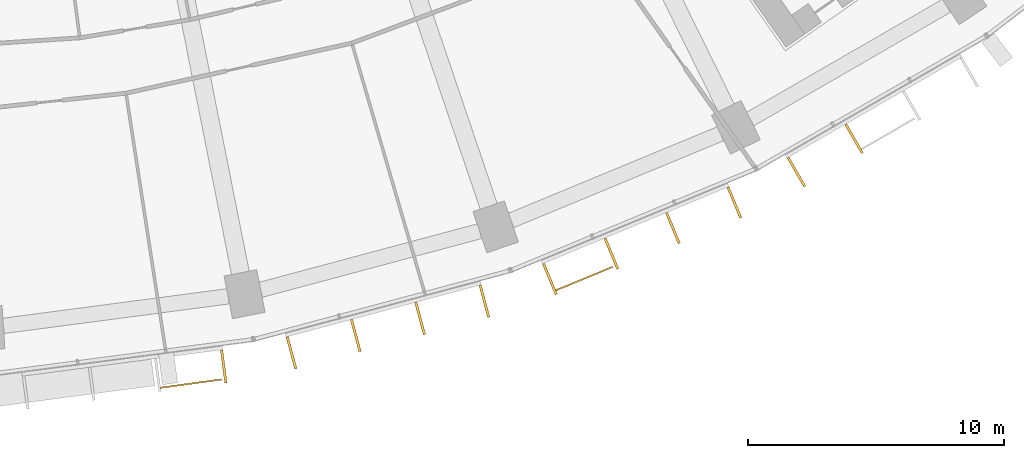
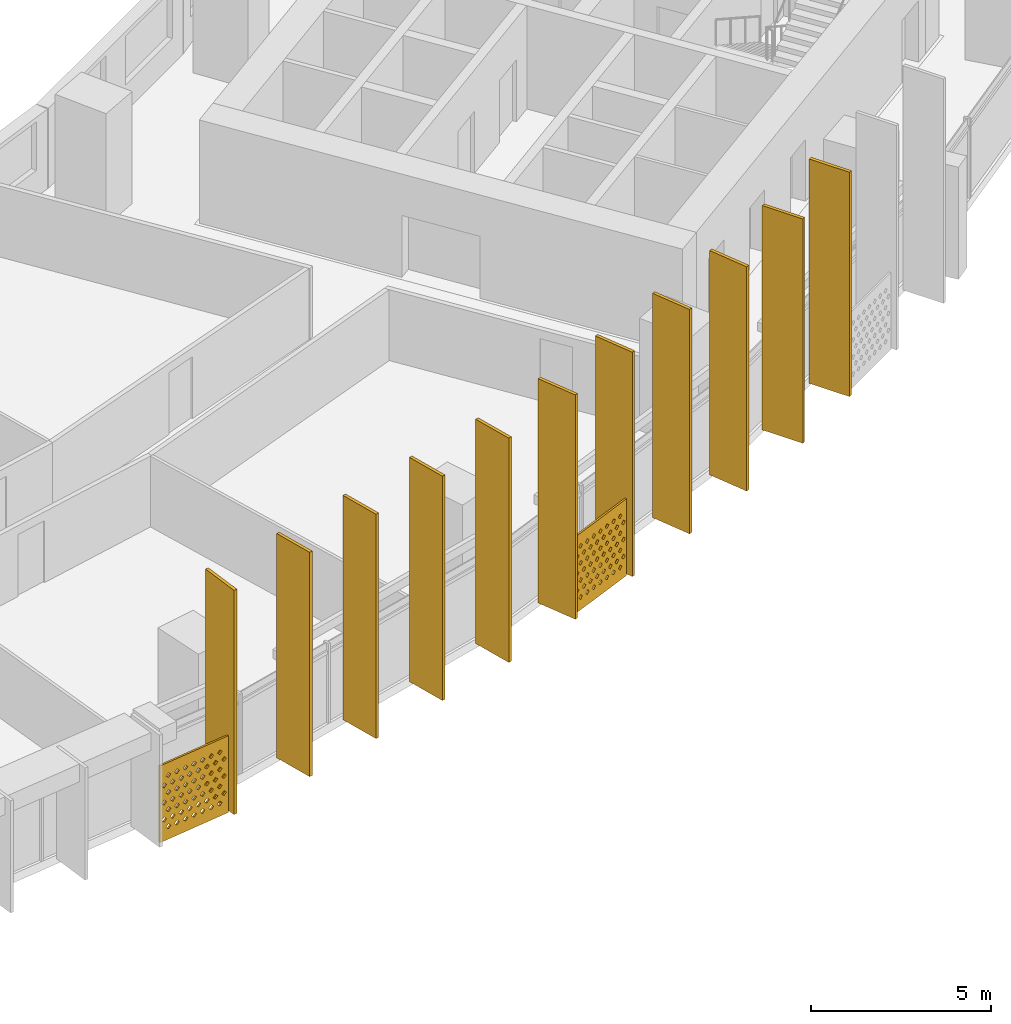
# One storey, part 30 of 32: 13 shading devices.
"""IFC4 building model written with IfcOpenShell, lengths in metres."""

from ifc_helpers import new_model, si_unit, direction, frame, origin, origin_2d, place, context, subcontext, project, spatial, polyline, rectangle, outline, extrude, material, material_profile, profile_set, type_object, element, save


model = new_model("IFC4")

# Units and contexts
model_context = context("Model", 3, precision=1e-05, world=origin(), true_north=direction((0.0, 1.0)))
body_context = subcontext(model_context, "Body", "Model", "MODEL_VIEW")
ifc_project = project(units=[si_unit("LENGTHUNIT", "METRE"), si_unit("AREAUNIT", "SQUARE_METRE"), si_unit("VOLUMEUNIT", "CUBIC_METRE"), si_unit("PLANEANGLEUNIT", "RADIAN"), si_unit("MASSUNIT", "GRAM", prefix="KILO")], contexts=[model_context])

# Site, building, storey
site_placement = place(None, origin())
site = spatial("IfcSite", under=ifc_project, at=site_placement, CompositionType="ELEMENT")
building_placement = place(site_placement, origin())
building = spatial("IfcBuilding", under=site, at=building_placement, Name="Qamariyya Broadcast Tower", CompositionType="ELEMENT")
storey_placement = place(building_placement, frame((0.0, 0.0, 63.300048828125)))
storey = spatial("IfcBuildingStorey", under=building, at=storey_placement, Name="L12", CompositionType="ELEMENT", Elevation=63.300048828125)

# Shading devices
ifc_material_1 = material(Name="Perforated glazed terracotta", Category="masonry")
ifc_material_profile_1 = material_profile(ifc_material_1, outline(polyline([(-1.199951171875, -1.300048828125), (1.199951171875, -1.300048828125), (1.199951171875, 1.300048828125), (-1.199951171875, 1.300048828125), (-1.199951171875, -1.300048828125)]), holes=[polyline([(-0.81494140625, -0.86669921875), (-0.89990234375, -0.78173828125), (-0.985107421875, -0.86669921875), (-0.89990234375, -0.95166015625), (-0.81494140625, -0.86669921875)]), polyline([(-0.514892578125, -0.86669921875), (-0.60009765625, -0.78173828125), (-0.68505859375, -0.86669921875), (-0.60009765625, -0.95166015625), (-0.514892578125, -0.86669921875)]), polyline([(-0.215087890625, -0.86669921875), (-0.300048828125, -0.78173828125), (-0.385009765625, -0.86669921875), (-0.300048828125, -0.95166015625), (-0.215087890625, -0.86669921875)]), polyline([(0.0849609375, -0.86669921875), (0.0, -0.78173828125), (-0.0849609375, -0.86669921875), (0.0, -0.95166015625), (0.0849609375, -0.86669921875)]), polyline([(0.385009765625, -0.86669921875), (0.300048828125, -0.78173828125), (0.215087890625, -0.86669921875), (0.300048828125, -0.95166015625), (0.385009765625, -0.86669921875)]), polyline([(0.68505859375, -0.86669921875), (0.60009765625, -0.78173828125), (0.514892578125, -0.86669921875), (0.60009765625, -0.95166015625), (0.68505859375, -0.86669921875)]), polyline([(0.985107421875, -0.86669921875), (0.89990234375, -0.78173828125), (0.81494140625, -0.86669921875), (0.89990234375, -0.95166015625), (0.985107421875, -0.86669921875)]), polyline([(-0.965087890625, -0.577880859375), (-1.050048828125, -0.49267578125), (-1.135009765625, -0.577880859375), (-1.050048828125, -0.662841796875), (-0.965087890625, -0.577880859375)]), polyline([(-0.6650390625, -0.577880859375), (-0.75, -0.49267578125), (-0.8349609375, -0.577880859375), (-0.75, -0.662841796875), (-0.6650390625, -0.577880859375)]), polyline([(-0.364990234375, -0.577880859375), (-0.449951171875, -0.49267578125), (-0.534912109375, -0.577880859375), (-0.449951171875, -0.662841796875), (-0.364990234375, -0.577880859375)]), polyline([(-0.06494140625, -0.577880859375), (-0.14990234375, -0.49267578125), (-0.235107421875, -0.577880859375), (-0.14990234375, -0.662841796875), (-0.06494140625, -0.577880859375)]), polyline([(0.235107421875, -0.577880859375), (0.14990234375, -0.49267578125), (0.06494140625, -0.577880859375), (0.14990234375, -0.662841796875), (0.235107421875, -0.577880859375)]), polyline([(0.534912109375, -0.577880859375), (0.449951171875, -0.49267578125), (0.364990234375, -0.577880859375), (0.449951171875, -0.662841796875), (0.534912109375, -0.577880859375)]), polyline([(0.8349609375, -0.577880859375), (0.75, -0.49267578125), (0.6650390625, -0.577880859375), (0.75, -0.662841796875), (0.8349609375, -0.577880859375)]), polyline([(1.135009765625, -0.577880859375), (1.050048828125, -0.49267578125), (0.965087890625, -0.577880859375), (1.050048828125, -0.662841796875), (1.135009765625, -0.577880859375)]), polyline([(-0.81494140625, -0.288818359375), (-0.89990234375, -0.203857421875), (-0.985107421875, -0.288818359375), (-0.89990234375, -0.373779296875), (-0.81494140625, -0.288818359375)]), polyline([(-0.514892578125, -0.288818359375), (-0.60009765625, -0.203857421875), (-0.68505859375, -0.288818359375), (-0.60009765625, -0.373779296875), (-0.514892578125, -0.288818359375)]), polyline([(-0.215087890625, -0.288818359375), (-0.300048828125, -0.203857421875), (-0.385009765625, -0.288818359375), (-0.300048828125, -0.373779296875), (-0.215087890625, -0.288818359375)]), polyline([(0.0849609375, -0.288818359375), (0.0, -0.203857421875), (-0.0849609375, -0.288818359375), (0.0, -0.373779296875), (0.0849609375, -0.288818359375)]), polyline([(0.385009765625, -0.288818359375), (0.300048828125, -0.203857421875), (0.215087890625, -0.288818359375), (0.300048828125, -0.373779296875), (0.385009765625, -0.288818359375)]), polyline([(0.68505859375, -0.288818359375), (0.60009765625, -0.203857421875), (0.514892578125, -0.288818359375), (0.60009765625, -0.373779296875), (0.68505859375, -0.288818359375)]), polyline([(0.985107421875, -0.288818359375), (0.89990234375, -0.203857421875), (0.81494140625, -0.288818359375), (0.89990234375, -0.373779296875), (0.985107421875, -0.288818359375)]), polyline([(-0.965087890625, 0.0), (-1.050048828125, 0.0849609375), (-1.135009765625, 0.0), (-1.050048828125, -0.0849609375), (-0.965087890625, 0.0)]), polyline([(-0.6650390625, 0.0), (-0.75, 0.0849609375), (-0.8349609375, 0.0), (-0.75, -0.0849609375), (-0.6650390625, 0.0)]), polyline([(-0.364990234375, 0.0), (-0.449951171875, 0.0849609375), (-0.534912109375, 0.0), (-0.449951171875, -0.0849609375), (-0.364990234375, 0.0)]), polyline([(-0.06494140625, 0.0), (-0.14990234375, 0.0849609375), (-0.235107421875, 0.0), (-0.14990234375, -0.0849609375), (-0.06494140625, 0.0)]), polyline([(0.235107421875, 0.0), (0.14990234375, 0.0849609375), (0.06494140625, 0.0), (0.14990234375, -0.0849609375), (0.235107421875, 0.0)]), polyline([(0.534912109375, 0.0), (0.449951171875, 0.0849609375), (0.364990234375, 0.0), (0.449951171875, -0.0849609375), (0.534912109375, 0.0)]), polyline([(0.8349609375, 0.0), (0.75, 0.0849609375), (0.6650390625, 0.0), (0.75, -0.0849609375), (0.8349609375, 0.0)]), polyline([(1.135009765625, 0.0), (1.050048828125, 0.0849609375), (0.965087890625, 0.0), (1.050048828125, -0.0849609375), (1.135009765625, 0.0)]), polyline([(-0.81494140625, 0.288818359375), (-0.89990234375, 0.373779296875), (-0.985107421875, 0.288818359375), (-0.89990234375, 0.203857421875), (-0.81494140625, 0.288818359375)]), polyline([(-0.514892578125, 0.288818359375), (-0.60009765625, 0.373779296875), (-0.68505859375, 0.288818359375), (-0.60009765625, 0.203857421875), (-0.514892578125, 0.288818359375)]), polyline([(-0.215087890625, 0.288818359375), (-0.300048828125, 0.373779296875), (-0.385009765625, 0.288818359375), (-0.300048828125, 0.203857421875), (-0.215087890625, 0.288818359375)]), polyline([(0.0849609375, 0.288818359375), (0.0, 0.373779296875), (-0.0849609375, 0.288818359375), (0.0, 0.203857421875), (0.0849609375, 0.288818359375)]), polyline([(0.385009765625, 0.288818359375), (0.300048828125, 0.373779296875), (0.215087890625, 0.288818359375), (0.300048828125, 0.203857421875), (0.385009765625, 0.288818359375)]), polyline([(0.68505859375, 0.288818359375), (0.60009765625, 0.373779296875), (0.514892578125, 0.288818359375), (0.60009765625, 0.203857421875), (0.68505859375, 0.288818359375)]), polyline([(0.985107421875, 0.288818359375), (0.89990234375, 0.373779296875), (0.81494140625, 0.288818359375), (0.89990234375, 0.203857421875), (0.985107421875, 0.288818359375)]), polyline([(-0.965087890625, 0.577880859375), (-1.050048828125, 0.662841796875), (-1.135009765625, 0.577880859375), (-1.050048828125, 0.49267578125), (-0.965087890625, 0.577880859375)]), polyline([(-0.6650390625, 0.577880859375), (-0.75, 0.662841796875), (-0.8349609375, 0.577880859375), (-0.75, 0.49267578125), (-0.6650390625, 0.577880859375)]), polyline([(-0.364990234375, 0.577880859375), (-0.449951171875, 0.662841796875), (-0.534912109375, 0.577880859375), (-0.449951171875, 0.49267578125), (-0.364990234375, 0.577880859375)]), polyline([(-0.06494140625, 0.577880859375), (-0.14990234375, 0.662841796875), (-0.235107421875, 0.577880859375), (-0.14990234375, 0.49267578125), (-0.06494140625, 0.577880859375)]), polyline([(0.235107421875, 0.577880859375), (0.14990234375, 0.662841796875), (0.06494140625, 0.577880859375), (0.14990234375, 0.49267578125), (0.235107421875, 0.577880859375)]), polyline([(0.534912109375, 0.577880859375), (0.449951171875, 0.662841796875), (0.364990234375, 0.577880859375), (0.449951171875, 0.49267578125), (0.534912109375, 0.577880859375)]), polyline([(0.8349609375, 0.577880859375), (0.75, 0.662841796875), (0.6650390625, 0.577880859375), (0.75, 0.49267578125), (0.8349609375, 0.577880859375)]), polyline([(1.135009765625, 0.577880859375), (1.050048828125, 0.662841796875), (0.965087890625, 0.577880859375), (1.050048828125, 0.49267578125), (1.135009765625, 0.577880859375)]), polyline([(-0.81494140625, 0.86669921875), (-0.89990234375, 0.95166015625), (-0.985107421875, 0.86669921875), (-0.89990234375, 0.78173828125), (-0.81494140625, 0.86669921875)]), polyline([(-0.514892578125, 0.86669921875), (-0.60009765625, 0.95166015625), (-0.68505859375, 0.86669921875), (-0.60009765625, 0.78173828125), (-0.514892578125, 0.86669921875)]), polyline([(-0.215087890625, 0.86669921875), (-0.300048828125, 0.95166015625), (-0.385009765625, 0.86669921875), (-0.300048828125, 0.78173828125), (-0.215087890625, 0.86669921875)]), polyline([(0.0849609375, 0.86669921875), (0.0, 0.95166015625), (-0.0849609375, 0.86669921875), (0.0, 0.78173828125), (0.0849609375, 0.86669921875)]), polyline([(0.385009765625, 0.86669921875), (0.300048828125, 0.95166015625), (0.215087890625, 0.86669921875), (0.300048828125, 0.78173828125), (0.385009765625, 0.86669921875)]), polyline([(0.68505859375, 0.86669921875), (0.60009765625, 0.95166015625), (0.514892578125, 0.86669921875), (0.60009765625, 0.78173828125), (0.68505859375, 0.86669921875)]), polyline([(0.985107421875, 0.86669921875), (0.89990234375, 0.95166015625), (0.81494140625, 0.86669921875), (0.89990234375, 0.78173828125), (0.985107421875, 0.86669921875)])]))
ifc_profile_set_1 = profile_set([ifc_material_profile_1], Name="Perforated glazed terracotta")
shading_device_type_1 = type_object("IfcShadingDeviceType", Name="Perforated terracotta screen 2400 x 2600", PredefinedType="USERDEFINED", material=ifc_profile_set_1)
shading_device_1_placement = place(storey_placement, frame((13.0703125, -79.7255859375, 1.349853515625), z_axis=(0.13456727237, -0.990904460181, 0.0), x_axis=(0.990904460181, 0.13456727237, 0.0)))
element("IfcShadingDevice", 1, at=shading_device_1_placement, inside=storey, type_object=shading_device_type_1, Name="e-scr-L12-09-2", ObjectType="SCREEN", PredefinedType="USERDEFINED", context=body_context, shape_type="SweptSolid", body=[
    extrude(outline(polyline([(-1.199951171875, -1.300048828125), (1.199951171875, -1.300048828125), (1.199951171875, 1.300048828125), (-1.199951171875, 1.300048828125), (-1.199951171875, -1.300048828125)]), holes=[polyline([(-0.81494140625, -0.86669921875), (-0.89990234375, -0.78173828125), (-0.985107421875, -0.86669921875), (-0.89990234375, -0.95166015625), (-0.81494140625, -0.86669921875)]), polyline([(-0.514892578125, -0.86669921875), (-0.60009765625, -0.78173828125), (-0.68505859375, -0.86669921875), (-0.60009765625, -0.95166015625), (-0.514892578125, -0.86669921875)]), polyline([(-0.215087890625, -0.86669921875), (-0.300048828125, -0.78173828125), (-0.385009765625, -0.86669921875), (-0.300048828125, -0.95166015625), (-0.215087890625, -0.86669921875)]), polyline([(0.0849609375, -0.86669921875), (0.0, -0.78173828125), (-0.0849609375, -0.86669921875), (0.0, -0.95166015625), (0.0849609375, -0.86669921875)]), polyline([(0.385009765625, -0.86669921875), (0.300048828125, -0.78173828125), (0.215087890625, -0.86669921875), (0.300048828125, -0.95166015625), (0.385009765625, -0.86669921875)]), polyline([(0.68505859375, -0.86669921875), (0.60009765625, -0.78173828125), (0.514892578125, -0.86669921875), (0.60009765625, -0.95166015625), (0.68505859375, -0.86669921875)]), polyline([(0.985107421875, -0.86669921875), (0.89990234375, -0.78173828125), (0.81494140625, -0.86669921875), (0.89990234375, -0.95166015625), (0.985107421875, -0.86669921875)]), polyline([(-0.965087890625, -0.577880859375), (-1.050048828125, -0.49267578125), (-1.135009765625, -0.577880859375), (-1.050048828125, -0.662841796875), (-0.965087890625, -0.577880859375)]), polyline([(-0.6650390625, -0.577880859375), (-0.75, -0.49267578125), (-0.8349609375, -0.577880859375), (-0.75, -0.662841796875), (-0.6650390625, -0.577880859375)]), polyline([(-0.364990234375, -0.577880859375), (-0.449951171875, -0.49267578125), (-0.534912109375, -0.577880859375), (-0.449951171875, -0.662841796875), (-0.364990234375, -0.577880859375)]), polyline([(-0.06494140625, -0.577880859375), (-0.14990234375, -0.49267578125), (-0.235107421875, -0.577880859375), (-0.14990234375, -0.662841796875), (-0.06494140625, -0.577880859375)]), polyline([(0.235107421875, -0.577880859375), (0.14990234375, -0.49267578125), (0.06494140625, -0.577880859375), (0.14990234375, -0.662841796875), (0.235107421875, -0.577880859375)]), polyline([(0.534912109375, -0.577880859375), (0.449951171875, -0.49267578125), (0.364990234375, -0.577880859375), (0.449951171875, -0.662841796875), (0.534912109375, -0.577880859375)]), polyline([(0.8349609375, -0.577880859375), (0.75, -0.49267578125), (0.6650390625, -0.577880859375), (0.75, -0.662841796875), (0.8349609375, -0.577880859375)]), polyline([(1.135009765625, -0.577880859375), (1.050048828125, -0.49267578125), (0.965087890625, -0.577880859375), (1.050048828125, -0.662841796875), (1.135009765625, -0.577880859375)]), polyline([(-0.81494140625, -0.288818359375), (-0.89990234375, -0.203857421875), (-0.985107421875, -0.288818359375), (-0.89990234375, -0.373779296875), (-0.81494140625, -0.288818359375)]), polyline([(-0.514892578125, -0.288818359375), (-0.60009765625, -0.203857421875), (-0.68505859375, -0.288818359375), (-0.60009765625, -0.373779296875), (-0.514892578125, -0.288818359375)]), polyline([(-0.215087890625, -0.288818359375), (-0.300048828125, -0.203857421875), (-0.385009765625, -0.288818359375), (-0.300048828125, -0.373779296875), (-0.215087890625, -0.288818359375)]), polyline([(0.0849609375, -0.288818359375), (0.0, -0.203857421875), (-0.0849609375, -0.288818359375), (0.0, -0.373779296875), (0.0849609375, -0.288818359375)]), polyline([(0.385009765625, -0.288818359375), (0.300048828125, -0.203857421875), (0.215087890625, -0.288818359375), (0.300048828125, -0.373779296875), (0.385009765625, -0.288818359375)]), polyline([(0.68505859375, -0.288818359375), (0.60009765625, -0.203857421875), (0.514892578125, -0.288818359375), (0.60009765625, -0.373779296875), (0.68505859375, -0.288818359375)]), polyline([(0.985107421875, -0.288818359375), (0.89990234375, -0.203857421875), (0.81494140625, -0.288818359375), (0.89990234375, -0.373779296875), (0.985107421875, -0.288818359375)]), polyline([(-0.965087890625, 0.0), (-1.050048828125, 0.0849609375), (-1.135009765625, 0.0), (-1.050048828125, -0.0849609375), (-0.965087890625, 0.0)]), polyline([(-0.6650390625, 0.0), (-0.75, 0.0849609375), (-0.8349609375, 0.0), (-0.75, -0.0849609375), (-0.6650390625, 0.0)]), polyline([(-0.364990234375, 0.0), (-0.449951171875, 0.0849609375), (-0.534912109375, 0.0), (-0.449951171875, -0.0849609375), (-0.364990234375, 0.0)]), polyline([(-0.06494140625, 0.0), (-0.14990234375, 0.0849609375), (-0.235107421875, 0.0), (-0.14990234375, -0.0849609375), (-0.06494140625, 0.0)]), polyline([(0.235107421875, 0.0), (0.14990234375, 0.0849609375), (0.06494140625, 0.0), (0.14990234375, -0.0849609375), (0.235107421875, 0.0)]), polyline([(0.534912109375, 0.0), (0.449951171875, 0.0849609375), (0.364990234375, 0.0), (0.449951171875, -0.0849609375), (0.534912109375, 0.0)]), polyline([(0.8349609375, 0.0), (0.75, 0.0849609375), (0.6650390625, 0.0), (0.75, -0.0849609375), (0.8349609375, 0.0)]), polyline([(1.135009765625, 0.0), (1.050048828125, 0.0849609375), (0.965087890625, 0.0), (1.050048828125, -0.0849609375), (1.135009765625, 0.0)]), polyline([(-0.81494140625, 0.288818359375), (-0.89990234375, 0.373779296875), (-0.985107421875, 0.288818359375), (-0.89990234375, 0.203857421875), (-0.81494140625, 0.288818359375)]), polyline([(-0.514892578125, 0.288818359375), (-0.60009765625, 0.373779296875), (-0.68505859375, 0.288818359375), (-0.60009765625, 0.203857421875), (-0.514892578125, 0.288818359375)]), polyline([(-0.215087890625, 0.288818359375), (-0.300048828125, 0.373779296875), (-0.385009765625, 0.288818359375), (-0.300048828125, 0.203857421875), (-0.215087890625, 0.288818359375)]), polyline([(0.0849609375, 0.288818359375), (0.0, 0.373779296875), (-0.0849609375, 0.288818359375), (0.0, 0.203857421875), (0.0849609375, 0.288818359375)]), polyline([(0.385009765625, 0.288818359375), (0.300048828125, 0.373779296875), (0.215087890625, 0.288818359375), (0.300048828125, 0.203857421875), (0.385009765625, 0.288818359375)]), polyline([(0.68505859375, 0.288818359375), (0.60009765625, 0.373779296875), (0.514892578125, 0.288818359375), (0.60009765625, 0.203857421875), (0.68505859375, 0.288818359375)]), polyline([(0.985107421875, 0.288818359375), (0.89990234375, 0.373779296875), (0.81494140625, 0.288818359375), (0.89990234375, 0.203857421875), (0.985107421875, 0.288818359375)]), polyline([(-0.965087890625, 0.577880859375), (-1.050048828125, 0.662841796875), (-1.135009765625, 0.577880859375), (-1.050048828125, 0.49267578125), (-0.965087890625, 0.577880859375)]), polyline([(-0.6650390625, 0.577880859375), (-0.75, 0.662841796875), (-0.8349609375, 0.577880859375), (-0.75, 0.49267578125), (-0.6650390625, 0.577880859375)]), polyline([(-0.364990234375, 0.577880859375), (-0.449951171875, 0.662841796875), (-0.534912109375, 0.577880859375), (-0.449951171875, 0.49267578125), (-0.364990234375, 0.577880859375)]), polyline([(-0.06494140625, 0.577880859375), (-0.14990234375, 0.662841796875), (-0.235107421875, 0.577880859375), (-0.14990234375, 0.49267578125), (-0.06494140625, 0.577880859375)]), polyline([(0.235107421875, 0.577880859375), (0.14990234375, 0.662841796875), (0.06494140625, 0.577880859375), (0.14990234375, 0.49267578125), (0.235107421875, 0.577880859375)]), polyline([(0.534912109375, 0.577880859375), (0.449951171875, 0.662841796875), (0.364990234375, 0.577880859375), (0.449951171875, 0.49267578125), (0.534912109375, 0.577880859375)]), polyline([(0.8349609375, 0.577880859375), (0.75, 0.662841796875), (0.6650390625, 0.577880859375), (0.75, 0.49267578125), (0.8349609375, 0.577880859375)]), polyline([(1.135009765625, 0.577880859375), (1.050048828125, 0.662841796875), (0.965087890625, 0.577880859375), (1.050048828125, 0.49267578125), (1.135009765625, 0.577880859375)]), polyline([(-0.81494140625, 0.86669921875), (-0.89990234375, 0.95166015625), (-0.985107421875, 0.86669921875), (-0.89990234375, 0.78173828125), (-0.81494140625, 0.86669921875)]), polyline([(-0.514892578125, 0.86669921875), (-0.60009765625, 0.95166015625), (-0.68505859375, 0.86669921875), (-0.60009765625, 0.78173828125), (-0.514892578125, 0.86669921875)]), polyline([(-0.215087890625, 0.86669921875), (-0.300048828125, 0.95166015625), (-0.385009765625, 0.86669921875), (-0.300048828125, 0.78173828125), (-0.215087890625, 0.86669921875)]), polyline([(0.0849609375, 0.86669921875), (0.0, 0.95166015625), (-0.0849609375, 0.86669921875), (0.0, 0.78173828125), (0.0849609375, 0.86669921875)]), polyline([(0.385009765625, 0.86669921875), (0.300048828125, 0.95166015625), (0.215087890625, 0.86669921875), (0.300048828125, 0.78173828125), (0.385009765625, 0.86669921875)]), polyline([(0.68505859375, 0.86669921875), (0.60009765625, 0.95166015625), (0.514892578125, 0.86669921875), (0.60009765625, 0.78173828125), (0.68505859375, 0.86669921875)]), polyline([(0.985107421875, 0.86669921875), (0.89990234375, 0.95166015625), (0.81494140625, 0.86669921875), (0.89990234375, 0.78173828125), (0.985107421875, 0.86669921875)])]), origin(), (0.0, 0.0, 1.0), 0.059814453125),
])
shading_device_2_placement = place(storey_placement, frame((28.44677734375, -75.61962890625, 1.349853515625), z_axis=(0.382591441855, -0.923917630863, 0.0), x_axis=(0.923917630863, 0.382591441855, 0.0)))
element("IfcShadingDevice", 2, at=shading_device_2_placement, inside=storey, type_object=shading_device_type_1, Name="e-scr-L12-11-0", ObjectType="SCREEN", PredefinedType="USERDEFINED", context=body_context, shape_type="SweptSolid", body=[
    extrude(outline(polyline([(-1.199951171875, -1.300048828125), (1.199951171875, -1.300048828125), (1.199951171875, 1.300048828125), (-1.199951171875, 1.300048828125), (-1.199951171875, -1.300048828125)]), holes=[polyline([(-0.81494140625, -0.86669921875), (-0.89990234375, -0.78173828125), (-0.985107421875, -0.86669921875), (-0.89990234375, -0.95166015625), (-0.81494140625, -0.86669921875)]), polyline([(-0.514892578125, -0.86669921875), (-0.60009765625, -0.78173828125), (-0.68505859375, -0.86669921875), (-0.60009765625, -0.95166015625), (-0.514892578125, -0.86669921875)]), polyline([(-0.215087890625, -0.86669921875), (-0.300048828125, -0.78173828125), (-0.385009765625, -0.86669921875), (-0.300048828125, -0.95166015625), (-0.215087890625, -0.86669921875)]), polyline([(0.0849609375, -0.86669921875), (0.0, -0.78173828125), (-0.0849609375, -0.86669921875), (0.0, -0.95166015625), (0.0849609375, -0.86669921875)]), polyline([(0.385009765625, -0.86669921875), (0.300048828125, -0.78173828125), (0.215087890625, -0.86669921875), (0.300048828125, -0.95166015625), (0.385009765625, -0.86669921875)]), polyline([(0.68505859375, -0.86669921875), (0.60009765625, -0.78173828125), (0.514892578125, -0.86669921875), (0.60009765625, -0.95166015625), (0.68505859375, -0.86669921875)]), polyline([(0.985107421875, -0.86669921875), (0.89990234375, -0.78173828125), (0.81494140625, -0.86669921875), (0.89990234375, -0.95166015625), (0.985107421875, -0.86669921875)]), polyline([(-0.965087890625, -0.577880859375), (-1.050048828125, -0.49267578125), (-1.135009765625, -0.577880859375), (-1.050048828125, -0.662841796875), (-0.965087890625, -0.577880859375)]), polyline([(-0.6650390625, -0.577880859375), (-0.75, -0.49267578125), (-0.8349609375, -0.577880859375), (-0.75, -0.662841796875), (-0.6650390625, -0.577880859375)]), polyline([(-0.364990234375, -0.577880859375), (-0.449951171875, -0.49267578125), (-0.534912109375, -0.577880859375), (-0.449951171875, -0.662841796875), (-0.364990234375, -0.577880859375)]), polyline([(-0.06494140625, -0.577880859375), (-0.14990234375, -0.49267578125), (-0.235107421875, -0.577880859375), (-0.14990234375, -0.662841796875), (-0.06494140625, -0.577880859375)]), polyline([(0.235107421875, -0.577880859375), (0.14990234375, -0.49267578125), (0.06494140625, -0.577880859375), (0.14990234375, -0.662841796875), (0.235107421875, -0.577880859375)]), polyline([(0.534912109375, -0.577880859375), (0.449951171875, -0.49267578125), (0.364990234375, -0.577880859375), (0.449951171875, -0.662841796875), (0.534912109375, -0.577880859375)]), polyline([(0.8349609375, -0.577880859375), (0.75, -0.49267578125), (0.6650390625, -0.577880859375), (0.75, -0.662841796875), (0.8349609375, -0.577880859375)]), polyline([(1.135009765625, -0.577880859375), (1.050048828125, -0.49267578125), (0.965087890625, -0.577880859375), (1.050048828125, -0.662841796875), (1.135009765625, -0.577880859375)]), polyline([(-0.81494140625, -0.288818359375), (-0.89990234375, -0.203857421875), (-0.985107421875, -0.288818359375), (-0.89990234375, -0.373779296875), (-0.81494140625, -0.288818359375)]), polyline([(-0.514892578125, -0.288818359375), (-0.60009765625, -0.203857421875), (-0.68505859375, -0.288818359375), (-0.60009765625, -0.373779296875), (-0.514892578125, -0.288818359375)]), polyline([(-0.215087890625, -0.288818359375), (-0.300048828125, -0.203857421875), (-0.385009765625, -0.288818359375), (-0.300048828125, -0.373779296875), (-0.215087890625, -0.288818359375)]), polyline([(0.0849609375, -0.288818359375), (0.0, -0.203857421875), (-0.0849609375, -0.288818359375), (0.0, -0.373779296875), (0.0849609375, -0.288818359375)]), polyline([(0.385009765625, -0.288818359375), (0.300048828125, -0.203857421875), (0.215087890625, -0.288818359375), (0.300048828125, -0.373779296875), (0.385009765625, -0.288818359375)]), polyline([(0.68505859375, -0.288818359375), (0.60009765625, -0.203857421875), (0.514892578125, -0.288818359375), (0.60009765625, -0.373779296875), (0.68505859375, -0.288818359375)]), polyline([(0.985107421875, -0.288818359375), (0.89990234375, -0.203857421875), (0.81494140625, -0.288818359375), (0.89990234375, -0.373779296875), (0.985107421875, -0.288818359375)]), polyline([(-0.965087890625, 0.0), (-1.050048828125, 0.0849609375), (-1.135009765625, 0.0), (-1.050048828125, -0.0849609375), (-0.965087890625, 0.0)]), polyline([(-0.6650390625, 0.0), (-0.75, 0.0849609375), (-0.8349609375, 0.0), (-0.75, -0.0849609375), (-0.6650390625, 0.0)]), polyline([(-0.364990234375, 0.0), (-0.449951171875, 0.0849609375), (-0.534912109375, 0.0), (-0.449951171875, -0.0849609375), (-0.364990234375, 0.0)]), polyline([(-0.06494140625, 0.0), (-0.14990234375, 0.0849609375), (-0.235107421875, 0.0), (-0.14990234375, -0.0849609375), (-0.06494140625, 0.0)]), polyline([(0.235107421875, 0.0), (0.14990234375, 0.0849609375), (0.06494140625, 0.0), (0.14990234375, -0.0849609375), (0.235107421875, 0.0)]), polyline([(0.534912109375, 0.0), (0.449951171875, 0.0849609375), (0.364990234375, 0.0), (0.449951171875, -0.0849609375), (0.534912109375, 0.0)]), polyline([(0.8349609375, 0.0), (0.75, 0.0849609375), (0.6650390625, 0.0), (0.75, -0.0849609375), (0.8349609375, 0.0)]), polyline([(1.135009765625, 0.0), (1.050048828125, 0.0849609375), (0.965087890625, 0.0), (1.050048828125, -0.0849609375), (1.135009765625, 0.0)]), polyline([(-0.81494140625, 0.288818359375), (-0.89990234375, 0.373779296875), (-0.985107421875, 0.288818359375), (-0.89990234375, 0.203857421875), (-0.81494140625, 0.288818359375)]), polyline([(-0.514892578125, 0.288818359375), (-0.60009765625, 0.373779296875), (-0.68505859375, 0.288818359375), (-0.60009765625, 0.203857421875), (-0.514892578125, 0.288818359375)]), polyline([(-0.215087890625, 0.288818359375), (-0.300048828125, 0.373779296875), (-0.385009765625, 0.288818359375), (-0.300048828125, 0.203857421875), (-0.215087890625, 0.288818359375)]), polyline([(0.0849609375, 0.288818359375), (0.0, 0.373779296875), (-0.0849609375, 0.288818359375), (0.0, 0.203857421875), (0.0849609375, 0.288818359375)]), polyline([(0.385009765625, 0.288818359375), (0.300048828125, 0.373779296875), (0.215087890625, 0.288818359375), (0.300048828125, 0.203857421875), (0.385009765625, 0.288818359375)]), polyline([(0.68505859375, 0.288818359375), (0.60009765625, 0.373779296875), (0.514892578125, 0.288818359375), (0.60009765625, 0.203857421875), (0.68505859375, 0.288818359375)]), polyline([(0.985107421875, 0.288818359375), (0.89990234375, 0.373779296875), (0.81494140625, 0.288818359375), (0.89990234375, 0.203857421875), (0.985107421875, 0.288818359375)]), polyline([(-0.965087890625, 0.577880859375), (-1.050048828125, 0.662841796875), (-1.135009765625, 0.577880859375), (-1.050048828125, 0.49267578125), (-0.965087890625, 0.577880859375)]), polyline([(-0.6650390625, 0.577880859375), (-0.75, 0.662841796875), (-0.8349609375, 0.577880859375), (-0.75, 0.49267578125), (-0.6650390625, 0.577880859375)]), polyline([(-0.364990234375, 0.577880859375), (-0.449951171875, 0.662841796875), (-0.534912109375, 0.577880859375), (-0.449951171875, 0.49267578125), (-0.364990234375, 0.577880859375)]), polyline([(-0.06494140625, 0.577880859375), (-0.14990234375, 0.662841796875), (-0.235107421875, 0.577880859375), (-0.14990234375, 0.49267578125), (-0.06494140625, 0.577880859375)]), polyline([(0.235107421875, 0.577880859375), (0.14990234375, 0.662841796875), (0.06494140625, 0.577880859375), (0.14990234375, 0.49267578125), (0.235107421875, 0.577880859375)]), polyline([(0.534912109375, 0.577880859375), (0.449951171875, 0.662841796875), (0.364990234375, 0.577880859375), (0.449951171875, 0.49267578125), (0.534912109375, 0.577880859375)]), polyline([(0.8349609375, 0.577880859375), (0.75, 0.662841796875), (0.6650390625, 0.577880859375), (0.75, 0.49267578125), (0.8349609375, 0.577880859375)]), polyline([(1.135009765625, 0.577880859375), (1.050048828125, 0.662841796875), (0.965087890625, 0.577880859375), (1.050048828125, 0.49267578125), (1.135009765625, 0.577880859375)]), polyline([(-0.81494140625, 0.86669921875), (-0.89990234375, 0.95166015625), (-0.985107421875, 0.86669921875), (-0.89990234375, 0.78173828125), (-0.81494140625, 0.86669921875)]), polyline([(-0.514892578125, 0.86669921875), (-0.60009765625, 0.95166015625), (-0.68505859375, 0.86669921875), (-0.60009765625, 0.78173828125), (-0.514892578125, 0.86669921875)]), polyline([(-0.215087890625, 0.86669921875), (-0.300048828125, 0.95166015625), (-0.385009765625, 0.86669921875), (-0.300048828125, 0.78173828125), (-0.215087890625, 0.86669921875)]), polyline([(0.0849609375, 0.86669921875), (0.0, 0.95166015625), (-0.0849609375, 0.86669921875), (0.0, 0.78173828125), (0.0849609375, 0.86669921875)]), polyline([(0.385009765625, 0.86669921875), (0.300048828125, 0.95166015625), (0.215087890625, 0.86669921875), (0.300048828125, 0.78173828125), (0.385009765625, 0.86669921875)]), polyline([(0.68505859375, 0.86669921875), (0.60009765625, 0.95166015625), (0.514892578125, 0.86669921875), (0.60009765625, 0.78173828125), (0.68505859375, 0.86669921875)]), polyline([(0.985107421875, 0.86669921875), (0.89990234375, 0.95166015625), (0.81494140625, 0.86669921875), (0.89990234375, 0.78173828125), (0.985107421875, 0.86669921875)])]), origin(), (0.0, 0.0, 1.0), 0.06005859375),
])
ifc_material_2 = material(Name="Glazed terracotta", Category="masonry")
ifc_material_profile_2 = material_profile(ifc_material_2, rectangle(XDim=1.300048828125, YDim=0.10009765625, at=origin_2d()))
ifc_profile_set_2 = profile_set([ifc_material_profile_2], Name="Glazed terracotta")
shading_device_type_2 = type_object("IfcShadingDeviceType", Name="Terracotta fin 100 x 1300", PredefinedType="USERDEFINED", material=ifc_profile_set_2)
for number, where, z_axis, x_axis, name in (
    (3, (14.35205078125, -79.082763671875, 0.0), (0.0, 0.0, 1.0), (0.13052619222, -0.991444861374, 0.0), "e-fin-L12-09-3"),
    (4, (17.00390625, -78.55517578125, 0.0), (0.0, 0.0, 1.0), (0.258819045103, -0.965925826289, 0.0), "e-fin-L12-10-0"),
    (5, (19.519775390625, -77.881103515625, 0.0), (0.0, 0.0, 1.0), (0.258819045103, -0.965925826289, 0.0), "e-fin-L12-10-1"),
    (6, (22.035888671875, -77.20703125, 0.0), (0.0, 0.0, 1.0), (0.258819045103, -0.965925826289, 0.0), "e-fin-L12-10-2"),
    (7, (24.5517578125, -76.53271484375, 0.0), (0.0, 0.0, 1.0), (0.258819045103, -0.965925826289, 0.0), "e-fin-L12-10-3"),
    (8, (27.112060546875, -75.663818359375, 0.0), (0.0, 0.0, 1.0), (0.382683432365, -0.923879532511, 0.0), "e-fin-L12-11-0"),
    (9, (29.518310546875, -74.6669921875, 0.0), (0.0, 0.0, 1.0), (0.382683432365, -0.923879532511, 0.0), "e-fin-L12-11-1"),
    (10, (31.9248046875, -73.670166015625, 0.0), (0.0, 0.0, 1.0), (0.382683432365, -0.923879532511, 0.0), "e-fin-L12-11-2"),
    (11, (34.331298828125, -72.67333984375, 0.0), (0.0, 0.0, 1.0), (0.382683432365, -0.923879532511, 0.0), "e-fin-L12-11-3"),
    (12, (36.756103515625, -71.4775390625, 0.0), (0.0, 0.0, 1.0), (0.5, -0.866025403784, 0.0), "e-fin-L12-12-0"),
    (13, (39.011962890625, -70.17529296875, 0.0), (0.0, 0.0, 1.0), (0.5, -0.866025403784, 0.0), "e-fin-L12-12-1"),
):
    element("IfcShadingDevice", number, at=place(storey_placement, frame(where, z_axis=z_axis, x_axis=x_axis)), inside=storey, type_object=shading_device_type_2, Name=name, ObjectType="FIN", PredefinedType="USERDEFINED", context=body_context, shape_type="SweptSolid", body=[
        extrude(rectangle(XDim=1.300048828125, YDim=0.10009765625, at=origin_2d()), origin(), (0.0, 0.0, 1.0), 7.599853515625),
    ])

save(model, "model.ifc")
